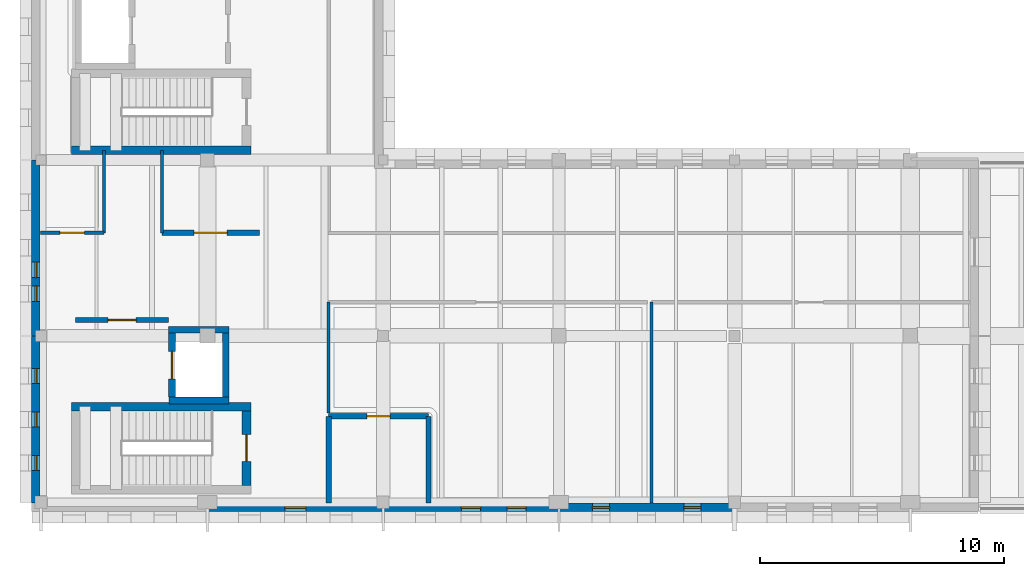
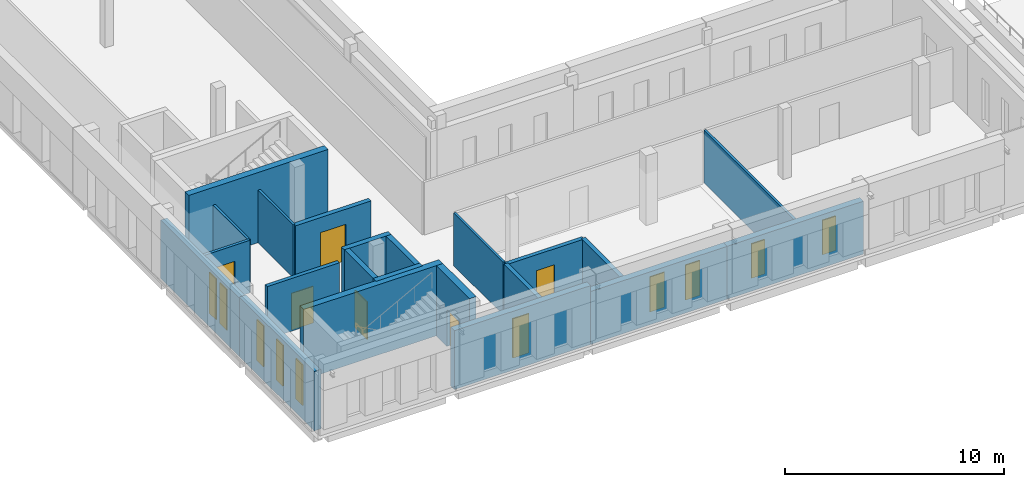
# One storey, part 36 of 56: 22 walls, 10 windows, 6 doors, 16 openings.
"""IFC4 building model written with IfcOpenShell, lengths in metres."""

from ifc_helpers import new_model, si_unit, direction, frame, frame_2d, origin, place, context, subcontext, project, spatial, rectangle, extrude, material, layer, layer_set, type_object, element, fill, save


model = new_model("IFC4")

# Units and contexts
model_context = context("Model", 3, precision=1e-05, world=origin(), true_north=direction((0.0, 1.0)))
body_context = subcontext(model_context, "Body", "Model", "MODEL_VIEW")
ifc_project = project(units=[si_unit("LENGTHUNIT", "METRE"), si_unit("AREAUNIT", "SQUARE_METRE"), si_unit("VOLUMEUNIT", "CUBIC_METRE"), si_unit("PLANEANGLEUNIT", "RADIAN"), si_unit("MASSUNIT", "GRAM", prefix="KILO")], contexts=[model_context])

# Site, building, storey
site_placement = place(None, origin())
site = spatial("IfcSite", under=ifc_project, at=site_placement, CompositionType="ELEMENT")
building_placement = place(site_placement, origin())
building = spatial("IfcBuilding", under=site, at=building_placement, Name="Vardoun Plaza Health Centre", CompositionType="ELEMENT")
storey_placement = place(building_placement, frame((0.0, 0.0, 8.699951171875)))
storey = spatial("IfcBuildingStorey", under=building, at=storey_placement, Name="L02", CompositionType="ELEMENT", Elevation=8.699951171875)

# Wall
ifc_material_1 = material(Name="Concrete C40/50", Category="concrete")
ifc_layer_1 = layer(ifc_material_1, 0.27001953125)
ifc_layer_set_1 = layer_set([ifc_layer_1], Name="Concrete C40/50")
wall_type_1 = type_object("IfcWallType", Name="SW-03", PredefinedType="SHEAR", material=ifc_layer_set_1)
wall_1_placement = place(storey_placement, frame((12.5849609375, 9.050048828125, 0.0), z_axis=(0.0, 0.0, 1.0), x_axis=(-1.0, 0.0, 0.0)))
element("IfcWall", 1, at=wall_1_placement, inside=storey, type_object=wall_type_1, Name="Lift LF-01 L02 Shaft Wall S", PredefinedType="SHEAR", context=body_context, shape_type="SweptSolid", body=[
    extrude(rectangle(XDim=2.469970703125, YDim=0.27001953125, at=frame_2d((1.23486328125, 0.0))), origin(), (0.0, 0.0, 1.0), 3.920166015625),
])

# Wall, opening, door
wall_2_placement = place(storey_placement, frame((10.25, 9.18505859375, 0.0), z_axis=(0.0, 0.0, 1.0), x_axis=(0.0, 1.0, 0.0)))
wall_2 = element("IfcWall", 2, at=wall_2_placement, inside=storey, type_object=wall_type_1, Name="Lift LF-01 L02 Shaft Wall W", PredefinedType="SHEAR", context=body_context, shape_type="SweptSolid", body=[
    extrude(rectangle(XDim=2.6298828125, YDim=0.27001953125, at=frame_2d((1.31494140625, 0.0))), origin(), (0.0, 0.0, 1.0), 3.920166015625),
])
opening_1_placement = place(wall_2_placement, frame((0.7548828125, 0.0, 0.0)))
opening_1 = element("IfcOpeningElement", 3, at=opening_1_placement, cuts=wall_2, Name="Opening LD-LF-01-L02", PredefinedType="OPENING", context=body_context, shape_type="SweptSolid", body=[
    extrude(rectangle(XDim=1.1201171875, YDim=2.10009765625, at=frame_2d((0.56005859375, 1.050048828125))), frame((0.0, 0.135009765625, 0.0), z_axis=(0.0, -1.0, 0.0), x_axis=(1.0, 0.0, 0.0)), (0.0, 0.0, 1.0), 0.27001953125),
])
ifc_material_2 = material(Name="Brushed Stainless Steel Grade 316L", Category="steel")
door_type_1 = type_object("IfcDoorType", Name="LD-01", OperationType="DOUBLE_DOOR_SLIDING", PredefinedType="DOOR", material=ifc_material_2)
door_1_placement = place(opening_1_placement, origin())
door_1 = element("IfcDoor", 4, at=door_1_placement, inside=storey, type_object=door_type_1, Name="Lift LF-01 L02 Sliding Landing Door", OperationType="DOUBLE_DOOR_SLIDING", OverallHeight=2.10009765625, OverallWidth=1.1201171875, PredefinedType="DOOR", context=body_context, shape_type="SweptSolid", body=[
    extrude(rectangle(XDim=1.1201171875, YDim=2.10009765625, at=frame_2d((0.56005859375, 1.050048828125))), frame((0.0, 0.02490234375, 0.0), z_axis=(0.0, -1.0, 0.0), x_axis=(1.0, 0.0, 0.0)), (0.0, 0.0, 1.0), 0.050048828125),
])
fill(opening_1, door_1)

# Walls
wall_3_placement = place(storey_placement, frame((10.114990234375, 11.949951171875, 0.0), z_axis=(0.0, 0.0, 1.0), x_axis=(1.0, 0.0, 0.0)))
element("IfcWall", 5, at=wall_3_placement, inside=storey, type_object=wall_type_1, Name="Lift LF-01 L02 Shaft Wall N", PredefinedType="SHEAR", context=body_context, shape_type="SweptSolid", body=[
    extrude(rectangle(XDim=2.469970703125, YDim=0.27001953125, at=frame_2d((1.23486328125, 0.0))), origin(), (0.0, 0.0, 1.0), 3.920166015625),
])
wall_4_placement = place(storey_placement, frame((12.449951171875, 11.81494140625, 0.0), z_axis=(0.0, 0.0, 1.0), x_axis=(0.0, -1.0, 0.0)))
element("IfcWall", 6, at=wall_4_placement, inside=storey, type_object=wall_type_1, Name="Lift LF-01 L02 Shaft Wall E", PredefinedType="SHEAR", context=body_context, shape_type="SweptSolid", body=[
    extrude(rectangle(XDim=2.6298828125, YDim=0.27001953125, at=frame_2d((1.31494140625, 0.0))), origin(), (0.0, 0.0, 1.0), 3.920166015625),
])
ifc_material_3 = material(Name="Concrete C40/50", Category="concrete")
ifc_layer_2 = layer(ifc_material_3, 0.35009765625)
ifc_layer_set_2 = layer_set([ifc_layer_2], Name="Concrete C40/50")
wall_type_2 = type_object("IfcWallType", Name="SW-02", PredefinedType="SHEAR", material=ifc_layer_set_2)
wall_5_placement = place(storey_placement, frame((6.125, 8.800048828125, 0.0), z_axis=(0.0, 0.0, 1.0), x_axis=(1.0, 0.0, 0.0)))
element("IfcWall", 7, at=wall_5_placement, inside=storey, type_object=wall_type_2, Name="Core C1 L02 Shear Wall N", PredefinedType="SHEAR", context=body_context, shape_type="SweptSolid", body=[
    extrude(rectangle(XDim=7.35009765625, YDim=0.35009765625, at=frame_2d((3.675048828125, 0.0))), origin(), (0.0, 0.0, 1.0), 3.920166015625),
])

# Wall, opening, door
wall_6_placement = place(storey_placement, frame((13.300048828125, 8.625, 0.0), z_axis=(0.0, 0.0, 1.0), x_axis=(0.0, -1.0, 0.0)))
wall_6 = element("IfcWall", 8, at=wall_6_placement, inside=storey, type_object=wall_type_2, Name="Core C1 L02 Shear Wall E", PredefinedType="SHEAR", context=body_context, shape_type="SweptSolid", body=[
    extrude(rectangle(XDim=3.050048828125, YDim=0.35009765625, at=frame_2d((1.52490234375, 0.0))), origin(), (0.0, 0.0, 1.0), 3.920166015625),
])
opening_2_placement = place(wall_6_placement, frame((0.97509765625, 0.0, 0.0)))
opening_2 = element("IfcOpeningElement", 9, at=opening_2_placement, cuts=wall_6, Name="Opening SD-C1-L02", PredefinedType="OPENING", context=body_context, shape_type="SweptSolid", body=[
    extrude(rectangle(XDim=1.10009765625, YDim=2.050048828125, at=frame_2d((0.550048828125, 1.02490234375))), frame((0.0, 0.175048828125, 0.0), z_axis=(0.0, -1.0, 0.0), x_axis=(1.0, 0.0, 0.0)), (0.0, 0.0, 1.0), 0.35009765625),
])
ifc_material_4 = material(Name="Brushed Stainless Steel Grade 316L", Category="steel")
door_type_2 = type_object("IfcDoorType", Name="FD-01", OperationType="NOTDEFINED", PredefinedType="DOOR", material=ifc_material_4)
door_2_placement = place(opening_2_placement, origin())
door_2 = element("IfcDoor", 10, at=door_2_placement, inside=storey, type_object=door_type_2, Name="Stair C1 L02 Fire Door", OperationType="SINGLE_SWING_LEFT", OverallHeight=2.050048828125, OverallWidth=1.10009765625, PredefinedType="DOOR", context=body_context, shape_type="SweptSolid", body=[
    extrude(rectangle(XDim=1.10009765625, YDim=2.050048828125, at=frame_2d((0.550048828125, 1.02490234375))), frame((0.0, 0.02490234375, 0.0), z_axis=(0.0, -1.0, 0.0), x_axis=(1.0, 0.0, 0.0)), (0.0, 0.0, 1.0), 0.050048828125),
])
fill(opening_2, door_2)

# Wall
wall_7_placement = place(storey_placement, frame((13.47509765625, 19.300048828125, 0.0), z_axis=(0.0, 0.0, 1.0), x_axis=(-1.0, 0.0, 0.0)))
element("IfcWall", 11, at=wall_7_placement, inside=storey, type_object=wall_type_2, Name="Core C2 L02 Shear Wall S", PredefinedType="SHEAR", context=body_context, shape_type="SweptSolid", body=[
    extrude(rectangle(XDim=7.35009765625, YDim=0.35009765625, at=frame_2d((3.675048828125, 0.0))), origin(), (0.0, 0.0, 1.0), 3.920166015625),
])

# Wall, openings, windows
ifc_material_5 = material(Name="Pale Limestone Concrete C35/45", Category="masonry")
ifc_layer_3 = layer(ifc_material_5, 0.344970703125)
ifc_layer_set_3 = layer_set([ifc_layer_3], Name="Pale Limestone Concrete C35/45")
wall_type_3 = type_object("IfcWallType", Name="EW-01", PredefinedType="SOLIDWALL", material=ifc_layer_set_3)
wall_8_placement = place(storey_placement, frame((33.300048828125, 4.672607421875, 0.0), z_axis=(0.0, 0.0, 1.0), x_axis=(-1.0, 0.0, 0.0)))
wall_8 = element("IfcWall", 12, at=wall_8_placement, inside=storey, type_object=wall_type_3, Name="V2 L02 Exterior Wall EW-V2-142", PredefinedType="SOLIDWALL", context=body_context, shape_type="SweptSolid", body=[
    extrude(rectangle(XDim=7.199951171875, YDim=0.344970703125, at=frame_2d((3.60009765625, 0.0))), origin(), (0.0, 0.0, 1.0), 2.955078125),
])
opening_3_placement = place(wall_8_placement, frame((1.3779296875, 0.0, 0.60009765625)))
opening_3 = element("IfcOpeningElement", 13, at=opening_3_placement, cuts=wall_8, Name="Opening W-29-007", PredefinedType="OPENING", context=body_context, shape_type="SweptSolid", body=[
    extrude(rectangle(XDim=0.699951171875, YDim=1.919921875, at=frame_2d((0.35009765625, 0.9599609375))), frame((0.0, 0.17236328125, 0.0), z_axis=(0.0, -1.0, 0.0), x_axis=(1.0, 0.0, 0.0)), (0.0, 0.0, 1.0), 0.344970703125),
])
opening_4_placement = place(wall_8_placement, frame((5.1220703125, 0.0, 0.60009765625)))
opening_4 = element("IfcOpeningElement", 14, at=opening_4_placement, cuts=wall_8, Name="Opening W-29-008", PredefinedType="OPENING", context=body_context, shape_type="SweptSolid", body=[
    extrude(rectangle(XDim=0.699951171875, YDim=1.919921875, at=frame_2d((0.35009765625, 0.9599609375))), frame((0.0, 0.17236328125, 0.0), z_axis=(0.0, -1.0, 0.0), x_axis=(1.0, 0.0, 0.0)), (0.0, 0.0, 1.0), 0.344970703125),
])
ifc_material_6 = material(Name="Aluminium Alloy EN AW-6063-T6 and Low-E Glass", Category="aluminium")
window_type_1 = type_object("IfcWindowType", Name="W-29", PartitioningType="SINGLE_PANEL", PredefinedType="WINDOW", material=ifc_material_6)
window_1_placement = place(opening_3_placement, origin())
window_1 = element("IfcWindow", 15, at=window_1_placement, inside=storey, type_object=window_type_1, Name="V2 L02 Deep-Punched Slot Window W-29-142", OverallHeight=1.919921875, OverallWidth=0.699951171875, PartitioningType="SINGLE_PANEL", PredefinedType="WINDOW", context=body_context, shape_type="SweptSolid", body=[
    extrude(rectangle(XDim=0.699951171875, YDim=1.919921875, at=frame_2d((0.35009765625, 0.9599609375))), frame((0.0, 0.030029296875, 0.0), z_axis=(0.0, -1.0, 0.0), x_axis=(1.0, 0.0, 0.0)), (0.0, 0.0, 1.0), 0.06005859375),
])
fill(opening_3, window_1)
window_2_placement = place(opening_4_placement, origin())
window_2 = element("IfcWindow", 16, at=window_2_placement, inside=storey, type_object=window_type_1, Name="V2 L02 Deep-Punched Slot Window W-29-144", OverallHeight=1.919921875, OverallWidth=0.699951171875, PartitioningType="SINGLE_PANEL", PredefinedType="WINDOW", context=body_context, shape_type="SweptSolid", body=[
    extrude(rectangle(XDim=0.699951171875, YDim=1.919921875, at=frame_2d((0.35009765625, 0.9599609375))), frame((0.0, 0.030029296875, 0.0), z_axis=(0.0, -1.0, 0.0), x_axis=(1.0, 0.0, 0.0)), (0.0, 0.0, 1.0), 0.06005859375),
])
fill(opening_4, window_2)

wall_9_placement = place(storey_placement, frame((26.10009765625, 4.672607421875, 0.0), z_axis=(0.0, 0.0, 1.0), x_axis=(-1.0, 0.0, 0.0)))
wall_9 = element("IfcWall", 17, at=wall_9_placement, inside=storey, type_object=wall_type_3, Name="V2 L02 Exterior Wall EW-V2-143", PredefinedType="SOLIDWALL", context=body_context, shape_type="SweptSolid", body=[
    extrude(rectangle(XDim=7.2001953125, YDim=0.344970703125, at=frame_2d((3.60009765625, 0.0))), origin(), (0.0, 0.0, 1.0), 2.955078125),
])
opening_5_placement = place(wall_9_placement, frame((1.337890625, 0.0, 0.60009765625)))
opening_5 = element("IfcOpeningElement", 18, at=opening_5_placement, cuts=wall_9, Name="Opening W-30-008", PredefinedType="OPENING", context=body_context, shape_type="SweptSolid", body=[
    extrude(rectangle(XDim=0.780029296875, YDim=1.949951171875, at=frame_2d((0.39013671875, 0.97509765625))), frame((0.0, 0.17236328125, 0.0), z_axis=(0.0, -1.0, 0.0), x_axis=(1.0, 0.0, 0.0)), (0.0, 0.0, 1.0), 0.344970703125),
])
opening_6_placement = place(wall_9_placement, frame((3.2099609375, 0.0, 0.60009765625)))
opening_6 = element("IfcOpeningElement", 19, at=opening_6_placement, cuts=wall_9, Name="Opening W-30-009", PredefinedType="OPENING", context=body_context, shape_type="SweptSolid", body=[
    extrude(rectangle(XDim=0.780029296875, YDim=1.949951171875, at=frame_2d((0.39013671875, 0.97509765625))), frame((0.0, 0.17236328125, 0.0), z_axis=(0.0, -1.0, 0.0), x_axis=(1.0, 0.0, 0.0)), (0.0, 0.0, 1.0), 0.344970703125),
])
ifc_material_7 = material(Name="Aluminium Alloy EN AW-6063-T6 and Low-E Glass", Category="aluminium")
window_type_2 = type_object("IfcWindowType", Name="W-30", PartitioningType="SINGLE_PANEL", PredefinedType="WINDOW", material=ifc_material_7)
window_3_placement = place(opening_5_placement, origin())
window_3 = element("IfcWindow", 20, at=window_3_placement, inside=storey, type_object=window_type_2, Name="V2 L02 Deep-Punched Slot Window W-30-145", OverallHeight=1.949951171875, OverallWidth=0.780029296875, PartitioningType="SINGLE_PANEL", PredefinedType="WINDOW", context=body_context, shape_type="SweptSolid", body=[
    extrude(rectangle(XDim=0.780029296875, YDim=1.949951171875, at=frame_2d((0.39013671875, 0.97509765625))), frame((0.0, 0.030029296875, 0.0), z_axis=(0.0, -1.0, 0.0), x_axis=(1.0, 0.0, 0.0)), (0.0, 0.0, 1.0), 0.06005859375),
])
fill(opening_5, window_3)
window_4_placement = place(opening_6_placement, origin())
window_4 = element("IfcWindow", 21, at=window_4_placement, inside=storey, type_object=window_type_2, Name="V2 L02 Deep-Punched Slot Window W-30-146", OverallHeight=1.949951171875, OverallWidth=0.780029296875, PartitioningType="SINGLE_PANEL", PredefinedType="WINDOW", context=body_context, shape_type="SweptSolid", body=[
    extrude(rectangle(XDim=0.780029296875, YDim=1.949951171875, at=frame_2d((0.39013671875, 0.97509765625))), frame((0.0, 0.030029296875, 0.0), z_axis=(0.0, -1.0, 0.0), x_axis=(1.0, 0.0, 0.0)), (0.0, 0.0, 1.0), 0.06005859375),
])
fill(opening_6, window_4)

# Wall, opening, window
wall_10_placement = place(storey_placement, frame((18.89990234375, 4.672607421875, 0.0), z_axis=(0.0, 0.0, 1.0), x_axis=(-1.0, 0.0, 0.0)))
wall_10 = element("IfcWall", 22, at=wall_10_placement, inside=storey, type_object=wall_type_3, Name="V2 L02 Exterior Wall EW-V2-144", PredefinedType="SOLIDWALL", context=body_context, shape_type="SweptSolid", body=[
    extrude(rectangle(XDim=7.199951171875, YDim=0.344970703125, at=frame_2d((3.60009765625, 0.0))), origin(), (0.0, 0.0, 1.0), 3.28515625),
])
opening_7_placement = place(wall_10_placement, frame((3.169921875, 0.0, 0.550048828125)))
opening_7 = element("IfcOpeningElement", 23, at=opening_7_placement, cuts=wall_10, Name="Opening W-08-004", PredefinedType="OPENING", context=body_context, shape_type="SweptSolid", body=[
    extrude(rectangle(XDim=0.860107421875, YDim=2.199951171875, at=frame_2d((0.43017578125, 1.10009765625))), frame((0.0, 0.17236328125, 0.0), z_axis=(0.0, -1.0, 0.0), x_axis=(1.0, 0.0, 0.0)), (0.0, 0.0, 1.0), 0.344970703125),
])
ifc_material_8 = material(Name="Aluminium Alloy EN AW-6063-T6 and Low-E Glass", Category="aluminium")
window_type_3 = type_object("IfcWindowType", Name="W-08", PartitioningType="SINGLE_PANEL", PredefinedType="WINDOW", material=ifc_material_8)
window_5_placement = place(opening_7_placement, origin())
window_5 = element("IfcWindow", 24, at=window_5_placement, inside=storey, type_object=window_type_3, Name="V2 L02 Deep-Punched Slot Window W-08-149", OverallHeight=2.199951171875, OverallWidth=0.860107421875, PartitioningType="SINGLE_PANEL", PredefinedType="WINDOW", context=body_context, shape_type="SweptSolid", body=[
    extrude(rectangle(XDim=0.860107421875, YDim=2.199951171875, at=frame_2d((0.43017578125, 1.10009765625))), frame((0.0, 0.030029296875, 0.0), z_axis=(0.0, -1.0, 0.0), x_axis=(1.0, 0.0, 0.0)), (0.0, 0.0, 1.0), 0.06005859375),
])
fill(opening_7, window_5)

# Wall, openings, windows
wall_11_placement = place(storey_placement, frame((4.672607421875, 4.844970703125, 0.0), z_axis=(0.0, 0.0, 1.0), x_axis=(0.0, 1.0, 0.0)))
wall_11 = element("IfcWall", 25, at=wall_11_placement, inside=storey, type_object=wall_type_3, Name="V2 L02 Exterior Wall EW-V2-146", PredefinedType="SOLIDWALL", context=body_context, shape_type="SweptSolid", body=[
    extrude(rectangle(XDim=6.85498046875, YDim=0.344970703125, at=frame_2d((3.427490234375, 0.0))), origin(), (0.0, 0.0, 1.0), 3.324951171875),
])
opening_8_placement = place(wall_11_placement, frame((1.34521484375, 0.0, 0.550048828125)))
opening_8 = element("IfcOpeningElement", 26, at=opening_8_placement, cuts=wall_11, Name="Opening W-11-001", PredefinedType="OPENING", context=body_context, shape_type="SweptSolid", body=[
    extrude(rectangle(XDim=0.60009765625, YDim=2.280029296875, at=frame_2d((0.300048828125, 1.14013671875))), frame((0.0, 0.17236328125, 0.0), z_axis=(0.0, -1.0, 0.0), x_axis=(1.0, 0.0, 0.0)), (0.0, 0.0, 1.0), 0.344970703125),
])
opening_9_placement = place(wall_11_placement, frame((3.12744140625, 0.0, 0.550048828125)))
opening_9 = element("IfcOpeningElement", 27, at=opening_9_placement, cuts=wall_11, Name="Opening W-11-002", PredefinedType="OPENING", context=body_context, shape_type="SweptSolid", body=[
    extrude(rectangle(XDim=0.60009765625, YDim=2.280029296875, at=frame_2d((0.300048828125, 1.14013671875))), frame((0.0, 0.17236328125, 0.0), z_axis=(0.0, -1.0, 0.0), x_axis=(1.0, 0.0, 0.0)), (0.0, 0.0, 1.0), 0.344970703125),
])
opening_10_placement = place(wall_11_placement, frame((4.909912109375, 0.0, 0.550048828125)))
opening_10 = element("IfcOpeningElement", 28, at=opening_10_placement, cuts=wall_11, Name="Opening W-11-003", PredefinedType="OPENING", context=body_context, shape_type="SweptSolid", body=[
    extrude(rectangle(XDim=0.60009765625, YDim=2.280029296875, at=frame_2d((0.300048828125, 1.14013671875))), frame((0.0, 0.17236328125, 0.0), z_axis=(0.0, -1.0, 0.0), x_axis=(1.0, 0.0, 0.0)), (0.0, 0.0, 1.0), 0.344970703125),
])
ifc_material_9 = material(Name="Aluminium Alloy EN AW-6063-T6 and Low-E Glass", Category="aluminium")
window_type_4 = type_object("IfcWindowType", Name="W-11", PartitioningType="SINGLE_PANEL", PredefinedType="WINDOW", material=ifc_material_9)
window_6_placement = place(opening_8_placement, origin())
window_6 = element("IfcWindow", 29, at=window_6_placement, inside=storey, type_object=window_type_4, Name="V2 L02 Deep-Punched Slot Window W-11-154", OverallHeight=2.280029296875, OverallWidth=0.60009765625, PartitioningType="SINGLE_PANEL", PredefinedType="WINDOW", context=body_context, shape_type="SweptSolid", body=[
    extrude(rectangle(XDim=0.60009765625, YDim=2.280029296875, at=frame_2d((0.300048828125, 1.14013671875))), frame((0.0, 0.030029296875, 0.0), z_axis=(0.0, -1.0, 0.0), x_axis=(1.0, 0.0, 0.0)), (0.0, 0.0, 1.0), 0.06005859375),
])
fill(opening_8, window_6)
window_7_placement = place(opening_9_placement, origin())
window_7 = element("IfcWindow", 30, at=window_7_placement, inside=storey, type_object=window_type_4, Name="V2 L02 Deep-Punched Slot Window W-11-155", OverallHeight=2.280029296875, OverallWidth=0.60009765625, PartitioningType="SINGLE_PANEL", PredefinedType="WINDOW", context=body_context, shape_type="SweptSolid", body=[
    extrude(rectangle(XDim=0.60009765625, YDim=2.280029296875, at=frame_2d((0.300048828125, 1.14013671875))), frame((0.0, 0.030029296875, 0.0), z_axis=(0.0, -1.0, 0.0), x_axis=(1.0, 0.0, 0.0)), (0.0, 0.0, 1.0), 0.06005859375),
])
fill(opening_9, window_7)
window_8_placement = place(opening_10_placement, origin())
window_8 = element("IfcWindow", 31, at=window_8_placement, inside=storey, type_object=window_type_4, Name="V2 L02 Deep-Punched Slot Window W-11-156", OverallHeight=2.280029296875, OverallWidth=0.60009765625, PartitioningType="SINGLE_PANEL", PredefinedType="WINDOW", context=body_context, shape_type="SweptSolid", body=[
    extrude(rectangle(XDim=0.60009765625, YDim=2.280029296875, at=frame_2d((0.300048828125, 1.14013671875))), frame((0.0, 0.030029296875, 0.0), z_axis=(0.0, -1.0, 0.0), x_axis=(1.0, 0.0, 0.0)), (0.0, 0.0, 1.0), 0.06005859375),
])
fill(opening_10, window_8)

wall_12_placement = place(storey_placement, frame((4.672607421875, 11.699951171875, 0.0), z_axis=(0.0, 0.0, 1.0), x_axis=(0.0, 1.0, 0.0)))
wall_12 = element("IfcWall", 32, at=wall_12_placement, inside=storey, type_object=wall_type_3, Name="V2 L02 Exterior Wall EW-V2-147", PredefinedType="SOLIDWALL", context=body_context, shape_type="SweptSolid", body=[
    extrude(rectangle(XDim=7.199951171875, YDim=0.344970703125, at=frame_2d((3.60009765625, 0.0))), origin(), (0.0, 0.0, 1.0), 3.255126953125),
])
opening_11_placement = place(wall_12_placement, frame((1.407958984375, 0.0, 0.550048828125)))
opening_11 = element("IfcOpeningElement", 33, at=opening_11_placement, cuts=wall_12, Name="Opening W-12-001", PredefinedType="OPENING", context=body_context, shape_type="SweptSolid", body=[
    extrude(rectangle(XDim=0.639892578125, YDim=2.280029296875, at=frame_2d((0.31982421875, 1.14013671875))), frame((0.0, 0.17236328125, 0.0), z_axis=(0.0, -1.0, 0.0), x_axis=(1.0, 0.0, 0.0)), (0.0, 0.0, 1.0), 0.344970703125),
])
opening_12_placement = place(wall_12_placement, frame((2.3798828125, 0.0, 0.550048828125)))
opening_12 = element("IfcOpeningElement", 34, at=opening_12_placement, cuts=wall_12, Name="Opening W-12-002", PredefinedType="OPENING", context=body_context, shape_type="SweptSolid", body=[
    extrude(rectangle(XDim=0.639892578125, YDim=2.280029296875, at=frame_2d((0.31982421875, 1.14013671875))), frame((0.0, 0.17236328125, 0.0), z_axis=(0.0, -1.0, 0.0), x_axis=(1.0, 0.0, 0.0)), (0.0, 0.0, 1.0), 0.344970703125),
])
ifc_material_10 = material(Name="Aluminium Alloy EN AW-6063-T6 and Low-E Glass", Category="aluminium")
window_type_5 = type_object("IfcWindowType", Name="W-12", PartitioningType="SINGLE_PANEL", PredefinedType="WINDOW", material=ifc_material_10)
window_9_placement = place(opening_11_placement, origin())
window_9 = element("IfcWindow", 35, at=window_9_placement, inside=storey, type_object=window_type_5, Name="V2 L02 Deep-Punched Slot Window W-12-157", OverallHeight=2.280029296875, OverallWidth=0.639892578125, PartitioningType="SINGLE_PANEL", PredefinedType="WINDOW", context=body_context, shape_type="SweptSolid", body=[
    extrude(rectangle(XDim=0.639892578125, YDim=2.280029296875, at=frame_2d((0.31982421875, 1.14013671875))), frame((0.0, 0.030029296875, 0.0), z_axis=(0.0, -1.0, 0.0), x_axis=(1.0, 0.0, 0.0)), (0.0, 0.0, 1.0), 0.06005859375),
])
fill(opening_11, window_9)
window_10_placement = place(opening_12_placement, origin())
window_10 = element("IfcWindow", 36, at=window_10_placement, inside=storey, type_object=window_type_5, Name="V2 L02 Deep-Punched Slot Window W-12-158", OverallHeight=2.280029296875, OverallWidth=0.639892578125, PartitioningType="SINGLE_PANEL", PredefinedType="WINDOW", context=body_context, shape_type="SweptSolid", body=[
    extrude(rectangle(XDim=0.639892578125, YDim=2.280029296875, at=frame_2d((0.31982421875, 1.14013671875))), frame((0.0, 0.030029296875, 0.0), z_axis=(0.0, -1.0, 0.0), x_axis=(1.0, 0.0, 0.0)), (0.0, 0.0, 1.0), 0.06005859375),
])
fill(opening_12, window_10)

# Wall, opening, door
ifc_material_11 = material(Name="Acoustic Gypsum Twin-Stud", Category="steel")
ifc_layer_4 = layer(ifc_material_11, 0.14990234375)
ifc_layer_set_4 = layer_set([ifc_layer_4], Name="Acoustic Gypsum Twin-Stud")
wall_type_4 = type_object("IfcWallType", Name="IW-04", PredefinedType="PARTITIONING", material=ifc_layer_set_4)
wall_13_placement = place(storey_placement, frame((7.4599609375, 15.919921875, 0.0), z_axis=(0.0, 0.0, 1.0), x_axis=(-1.0, 0.0, 0.0)))
wall_13 = element("IfcWall", 37, at=wall_13_placement, inside=storey, type_object=wall_type_4, Name="Specialist Consulting Room 22 Partition Wall", PredefinedType="PARTITIONING", context=body_context, shape_type="SweptSolid", body=[
    extrude(rectangle(XDim=2.60986328125, YDim=0.14990234375, at=frame_2d((1.304931640625, 0.0))), origin(), (0.0, 0.0, 1.0), 2.93994140625),
])
opening_13_placement = place(wall_13_placement, frame((0.804931640625, 0.0, 0.0)))
opening_13 = element("IfcOpeningElement", 38, at=opening_13_placement, cuts=wall_13, Name="Opening D-L02-046", PredefinedType="OPENING", context=body_context, shape_type="SweptSolid", body=[
    extrude(rectangle(XDim=1.0, YDim=2.050048828125, at=frame_2d((0.5, 1.02490234375))), frame((0.0, 0.074951171875, 0.0), z_axis=(0.0, -1.0, 0.0), x_axis=(1.0, 0.0, 0.0)), (0.0, 0.0, 1.0), 0.14990234375),
])
ifc_material_12 = material(Name="Antimicrobial Acoustic Timber and Steel S275JR", Category="steel")
door_type_3 = type_object("IfcDoorType", Name="CD-03", OperationType="NOTDEFINED", PredefinedType="DOOR", material=ifc_material_12)
door_3_placement = place(opening_13_placement, origin())
door_3 = element("IfcDoor", 39, at=door_3_placement, inside=storey, type_object=door_type_3, Name="Specialist Consulting Room 22 Door D-L02-046", OperationType="SINGLE_SWING_RIGHT", OverallHeight=2.050048828125, OverallWidth=1.0, PredefinedType="DOOR", context=body_context, shape_type="SweptSolid", body=[
    extrude(rectangle(XDim=1.0, YDim=2.050048828125, at=frame_2d((0.5, 1.02490234375))), frame((0.0, 0.02490234375, 0.0), z_axis=(0.0, -1.0, 0.0), x_axis=(1.0, 0.0, 0.0)), (0.0, 0.0, 1.0), 0.050048828125),
])
fill(opening_13, door_3)

# Walls
ifc_material_13 = material(Name="Standard Clinical Sub-Partition", Category="steel")
ifc_layer_5 = layer(ifc_material_13, 0.125)
ifc_layer_set_5 = layer_set([ifc_layer_5], Name="Standard Clinical Sub-Partition")
wall_type_5 = type_object("IfcWallType", Name="IW-11", PredefinedType="PARTITIONING", material=ifc_layer_set_5)
wall_14_placement = place(storey_placement, frame((7.4599609375, 19.300048828125, 0.0), z_axis=(0.0, 0.0, 1.0), x_axis=(0.0, -1.0, 0.0)))
element("IfcWall", 40, at=wall_14_placement, inside=storey, type_object=wall_type_5, Name="Specialist Consulting Room 22 Enclosure Partition", PredefinedType="PARTITIONING", context=body_context, shape_type="SweptSolid", body=[
    extrude(rectangle(XDim=3.380126953125, YDim=0.125, at=frame_2d((1.68994140625, 0.0))), origin(), (0.0, 0.0, 1.0), 2.93994140625),
])
wall_15_placement = place(storey_placement, frame((29.889892578125, 4.85009765625, 0.0), z_axis=(0.0, 0.0, 1.0), x_axis=(0.0, 1.0, 0.0)))
element("IfcWall", 41, at=wall_15_placement, inside=storey, type_object=wall_type_5, Name="Specialist Consulting Room 23 Enclosure Partition", PredefinedType="PARTITIONING", context=body_context, shape_type="SweptSolid", body=[
    extrude(rectangle(XDim=8.22998046875, YDim=0.125, at=frame_2d((4.114990234375, 0.0))), origin(), (0.0, 0.0, 1.0), 2.93994140625),
])
wall_16_placement = place(storey_placement, frame((9.840087890625, 15.919921875, 0.0), z_axis=(0.0, 0.0, 1.0), x_axis=(0.0, 1.0, 0.0)))
element("IfcWall", 42, at=wall_16_placement, inside=storey, type_object=wall_type_5, Name="ECG and Stress Diagnostic Room Enclosure Partition", PredefinedType="PARTITIONING", context=body_context, shape_type="SweptSolid", body=[
    extrude(rectangle(XDim=3.380126953125, YDim=0.125, at=frame_2d((1.68994140625, 0.0))), origin(), (0.0, 0.0, 1.0), 2.93994140625),
])
wall_17_placement = place(storey_placement, frame((16.669921875, 8.541015625, 0.0), z_axis=(0.0, 0.0, 1.0), x_axis=(0.0, 1.0, 0.0)))
element("IfcWall", 43, at=wall_17_placement, inside=storey, type_object=wall_type_5, Name="Terrace Waiting Lounge L02 Enclosure Partition", PredefinedType="PARTITIONING", context=body_context, shape_type="SweptSolid", body=[
    extrude(rectangle(XDim=4.5390625, YDim=0.125, at=frame_2d((2.26953125, 0.0))), origin(), (0.0, 0.0, 1.0), 2.93994140625),
])

# Wall, opening, door
ifc_material_14 = material(Name="Concrete C35/45", Category="concrete")
ifc_layer_6 = layer(ifc_material_14, 0.199951171875)
ifc_layer_set_6 = layer_set([ifc_layer_6], Name="Concrete C35/45")
wall_type_6 = type_object("IfcWallType", Name="IW-01", PredefinedType="SOLIDWALL", material=ifc_layer_set_6)
wall_18_placement = place(storey_placement, frame((6.300048828125, 12.35009765625, 0.0), z_axis=(0.0, 0.0, 1.0), x_axis=(1.0, 0.0, 0.0)))
wall_18 = element("IfcWall", 44, at=wall_18_placement, inside=storey, type_object=wall_type_6, Name="Firefighting Lobby C1 L02 Wall", PredefinedType="SOLIDWALL", context=body_context, shape_type="SweptSolid", body=[
    extrude(rectangle(XDim=3.800048828125, YDim=0.199951171875, at=frame_2d((1.89990234375, 0.0))), origin(), (0.0, 0.0, 1.0), 2.93994140625),
])
opening_14_placement = place(wall_18_placement, frame((1.324951171875, 0.0, 0.0)))
opening_14 = element("IfcOpeningElement", 45, at=opening_14_placement, cuts=wall_18, Name="Opening FD-FF-C1-L02", PredefinedType="OPENING", context=body_context, shape_type="SweptSolid", body=[
    extrude(rectangle(XDim=1.14990234375, YDim=2.050048828125, at=frame_2d((0.574951171875, 1.02490234375))), frame((0.0, 0.10009765625, 0.0), z_axis=(0.0, -1.0, 0.0), x_axis=(1.0, 0.0, 0.0)), (0.0, 0.0, 1.0), 0.199951171875),
])
ifc_material_15 = material(Name="Antimicrobial Acoustic Timber and Steel S275JR", Category="steel")
door_type_4 = type_object("IfcDoorType", Name="FD-02", OperationType="NOTDEFINED", PredefinedType="DOOR", material=ifc_material_15)
door_4_placement = place(opening_14_placement, origin())
door_4 = element("IfcDoor", 46, at=door_4_placement, inside=storey, type_object=door_type_4, Name="Firefighting Lobby C1 L02 Fire Door", OperationType="SINGLE_SWING_RIGHT", OverallHeight=2.050048828125, OverallWidth=1.14990234375, PredefinedType="DOOR", context=body_context, shape_type="SweptSolid", body=[
    extrude(rectangle(XDim=1.14990234375, YDim=2.050048828125, at=frame_2d((0.574951171875, 1.02490234375))), frame((0.0, 0.02490234375, 0.0), z_axis=(0.0, -1.0, 0.0), x_axis=(1.0, 0.0, 0.0)), (0.0, 0.0, 1.0), 0.050048828125),
])
fill(opening_14, door_4)

ifc_material_16 = material(Name="Moisture-Resistant Plumbing Chase", Category="steel")
ifc_layer_7 = layer(ifc_material_16, 0.215087890625)
ifc_layer_set_7 = layer_set([ifc_layer_7], Name="Moisture-Resistant Plumbing Chase")
wall_type_7 = type_object("IfcWallType", Name="IW-06", PredefinedType="PLUMBINGWALL", material=ifc_layer_set_7)
wall_19_placement = place(storey_placement, frame((16.669921875, 8.40087890625, 0.0), z_axis=(0.0, 0.0, 1.0), x_axis=(1.0, 0.0, 0.0)))
wall_19 = element("IfcWall", 47, at=wall_19_placement, inside=storey, type_object=wall_type_7, Name="Accessible WC L02-V2 Partition Wall", PredefinedType="PLUMBINGWALL", context=body_context, shape_type="SweptSolid", body=[
    extrude(rectangle(XDim=4.08349609375, YDim=0.215087890625, at=frame_2d((2.041748046875, 0.0))), origin(), (0.0, 0.0, 1.0), 2.93994140625),
])
opening_15_placement = place(wall_19_placement, frame((1.566650390625, 0.0, 0.0)))
opening_15 = element("IfcOpeningElement", 48, at=opening_15_placement, cuts=wall_19, Name="Opening D-L02-044", PredefinedType="OPENING", context=body_context, shape_type="SweptSolid", body=[
    extrude(rectangle(XDim=0.949951171875, YDim=2.050048828125, at=frame_2d((0.47509765625, 1.02490234375))), frame((0.0, 0.107421875, 0.0), z_axis=(0.0, -1.0, 0.0), x_axis=(1.0, 0.0, 0.0)), (0.0, 0.0, 1.0), 0.215087890625),
])
ifc_material_17 = material(Name="Antimicrobial Acoustic Timber and Steel S275JR", Category="steel")
door_type_5 = type_object("IfcDoorType", Name="CD-07", OperationType="NOTDEFINED", PredefinedType="DOOR", material=ifc_material_17)
door_5_placement = place(opening_15_placement, origin())
door_5 = element("IfcDoor", 49, at=door_5_placement, inside=storey, type_object=door_type_5, Name="Accessible WC L02-V2 Door D-L02-044", OperationType="SINGLE_SWING_RIGHT", OverallHeight=2.050048828125, OverallWidth=0.949951171875, PredefinedType="DOOR", context=body_context, shape_type="SweptSolid", body=[
    extrude(rectangle(XDim=0.949951171875, YDim=2.050048828125, at=frame_2d((0.47509765625, 1.02490234375))), frame((0.0, 0.02490234375, 0.0), z_axis=(0.0, -1.0, 0.0), x_axis=(1.0, 0.0, 0.0)), (0.0, 0.0, 1.0), 0.050048828125),
])
fill(opening_15, door_5)

# Walls
for number, where, z_axis, x_axis, name in (
    (50, (20.75341796875, 8.40087890625, 0.0), (0.0, 0.0, 1.0), (0.0, -1.0, 0.0), "Accessible WC L02-V2 Enclosure Partition"),
    (51, (16.669921875, 4.85009765625, 0.0), (0.0, 0.0, 1.0), (0.0, 1.0, 0.0), "Accessible WC L02-V2 Enclosure Partition"),
):
    element("IfcWall", number, at=place(storey_placement, frame(where, z_axis=z_axis, x_axis=x_axis)), inside=storey, type_object=wall_type_7, Name=name, PredefinedType="PLUMBINGWALL", context=body_context, shape_type="SweptSolid", body=[
        extrude(rectangle(XDim=3.55078125, YDim=0.215087890625, at=frame_2d((1.775390625, 0.0))), origin(), (0.0, 0.0, 1.0), 2.93994140625),
    ])

# Wall, opening, door
ifc_material_18 = material(Name="Lead-Lined Concrete C35/45", Category="concrete")
ifc_layer_8 = layer(ifc_material_18, 0.239990234375)
ifc_layer_set_8 = layer_set([ifc_layer_8], Name="Lead-Lined Concrete C35/45")
wall_type_8 = type_object("IfcWallType", Name="IW-03", PredefinedType="SOLIDWALL", material=ifc_layer_set_8)
wall_20_placement = place(storey_placement, frame((13.830078125, 15.919921875, 0.0), z_axis=(0.0, 0.0, 1.0), x_axis=(-1.0, 0.0, 0.0)))
wall_20 = element("IfcWall", 52, at=wall_20_placement, inside=storey, type_object=wall_type_8, Name="ECG and Stress Diagnostic Room Partition Wall", PredefinedType="SOLIDWALL", context=body_context, shape_type="SweptSolid", body=[
    extrude(rectangle(XDim=3.989990234375, YDim=0.239990234375, at=frame_2d((1.9951171875, 0.0))), origin(), (0.0, 0.0, 1.0), 2.93994140625),
])
opening_16_placement = place(wall_20_placement, frame((1.320068359375, 0.0, 0.0)))
opening_16 = element("IfcOpeningElement", 53, at=opening_16_placement, cuts=wall_20, Name="Opening D-L02-049", PredefinedType="OPENING", context=body_context, shape_type="SweptSolid", body=[
    extrude(rectangle(XDim=1.35009765625, YDim=2.10009765625, at=frame_2d((0.675048828125, 1.050048828125))), frame((0.0, 0.1201171875, 0.0), z_axis=(0.0, -1.0, 0.0), x_axis=(1.0, 0.0, 0.0)), (0.0, 0.0, 1.0), 0.239990234375),
])
ifc_material_19 = material(Name="Antimicrobial Acoustic Timber and Steel S275JR", Category="steel")
door_type_6 = type_object("IfcDoorType", Name="CD-02", OperationType="NOTDEFINED", PredefinedType="DOOR", material=ifc_material_19)
door_6_placement = place(opening_16_placement, origin())
door_6 = element("IfcDoor", 54, at=door_6_placement, inside=storey, type_object=door_type_6, Name="ECG and Stress Diagnostic Room Door D-L02-049", OperationType="SINGLE_SWING_LEFT", OverallHeight=2.10009765625, OverallWidth=1.35009765625, PredefinedType="DOOR", context=body_context, shape_type="SweptSolid", body=[
    extrude(rectangle(XDim=1.35009765625, YDim=2.10009765625, at=frame_2d((0.675048828125, 1.050048828125))), frame((0.0, 0.02490234375, 0.0), z_axis=(0.0, -1.0, 0.0), x_axis=(1.0, 0.0, 0.0)), (0.0, 0.0, 1.0), 0.050048828125),
])
fill(opening_16, door_6)

save(model, "model.ifc")
